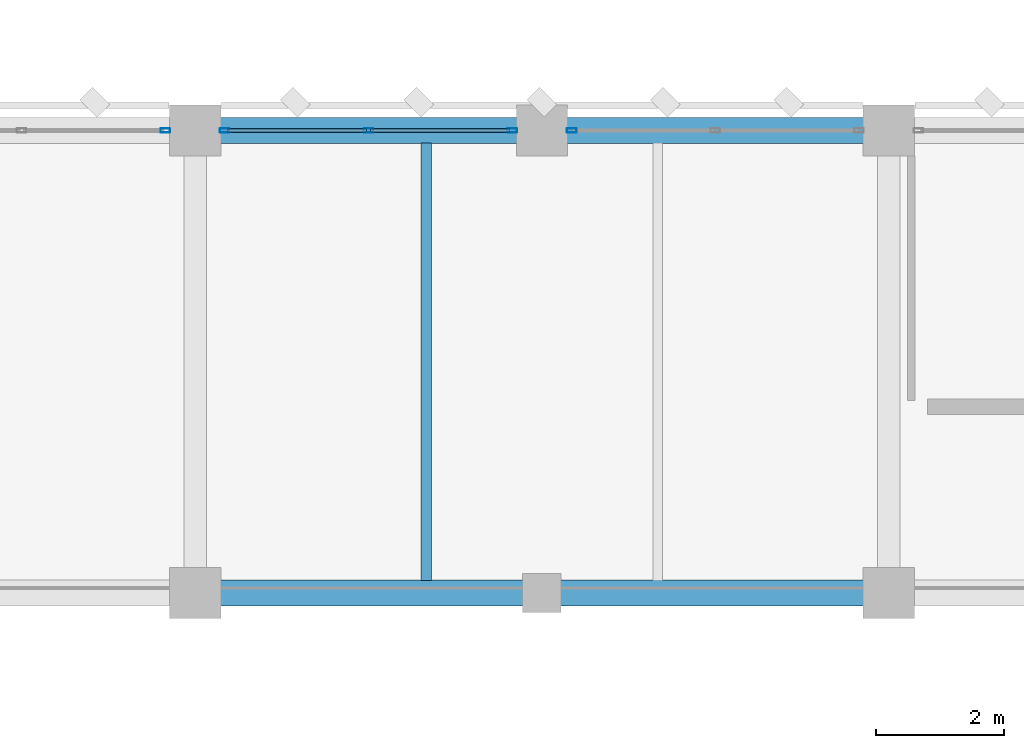
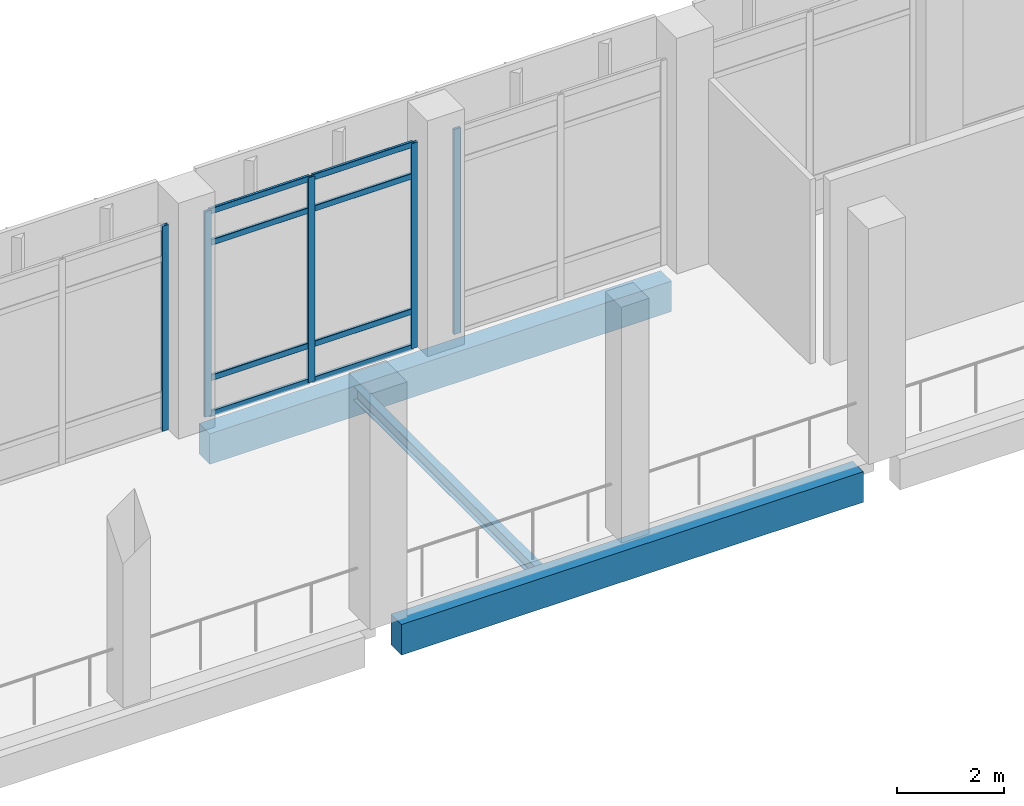
# One storey, part 31 of 180: 13 members, 3 beams, 3 elements without a shape of their own.
"""IFC4 building model written with IfcOpenShell, lengths in metres."""

import ifcopenshell
import ifcopenshell.guid

model = None  # the IFC model being written
_history = None  # IfcOwnerHistory: only IFC2X3 demands one
_inside = {}  # id of a spatial element -> (the spatial element, [elements in it])
_under = {}  # id of a project, library or spatial element -> (it, [spatial elements below it])
_declared = {}  # id of a project -> (the project, [libraries it declares])
_typed = {}  # id of a type object -> (the type object, [elements of that type])
_made_of = {}  # id of a material, layer set ... -> (it, [elements and type objects made of it])


def new_model(schema):
    """Start an empty IFC model of exactly this schema.

    Asked for "IFC4X3", IfcOpenShell would pick the latest addendum, in which some entities
    have other attributes; the version numbers below select the first issue.
    IFC2X3 requires an IfcOwnerHistory on every rooted entity: one is made here for all.
    """
    global model, _history
    if schema == "IFC4X3":
        model = ifcopenshell.file(schema_version=(4, 3, 0, 0))
    else:
        model = ifcopenshell.file(schema=schema)
    _inside.clear()
    _under.clear()
    _declared.clear()
    _typed.clear()
    _made_of.clear()
    _history = None
    if model.schema == "IFC2X3":
        org = make("IfcOrganization", Name="unknown")
        user = make(
            "IfcPersonAndOrganization",
            ThePerson=make("IfcPerson", FamilyName="unknown"),
            TheOrganization=org,
        )
        app = make(
            "IfcApplication",
            ApplicationDeveloper=org,
            Version="unknown",
            ApplicationFullName="unknown",
            ApplicationIdentifier="unknown",
        )
        _history = make(
            "IfcOwnerHistory",
            OwningUser=user,
            OwningApplication=app,
            ChangeAction="ADDED",
            CreationDate=0,
        )
    return model


def make(cls, **values):
    """One entity of the class cls with the attributes given. An attribute that is None is left unset."""
    return model.create_entity(
        cls, **{name: value for name, value in values.items() if value is not None}
    )


def rooted(cls, **values):
    """An entity with a GlobalId (a new one), such as an element, a storey or a relation."""
    return make(cls, GlobalId=ifcopenshell.guid.new(), OwnerHistory=_history, **values)


def si_unit(unit_type, name, prefix=None):
    """IfcSIUnit, for example si_unit("LENGTHUNIT", "METRE", prefix="MILLI")."""
    return make("IfcSIUnit", UnitType=unit_type, Prefix=prefix, Name=name)


def assignment(units):
    """IfcUnitAssignment: the units of a project."""
    return None if units is None else make("IfcUnitAssignment", Units=units)


def point(xyz):
    """IfcCartesianPoint."""
    return None if xyz is None else make("IfcCartesianPoint", Coordinates=xyz)


def direction(xyz):
    """IfcDirection."""
    return None if xyz is None else make("IfcDirection", DirectionRatios=xyz)


def frame(location, z_axis=None, x_axis=None):
    """IfcAxis2Placement3D, a coordinate frame: its origin and axes. An axis left out is left unset."""
    return make(
        "IfcAxis2Placement3D",
        Location=point(location),
        Axis=direction(z_axis),
        RefDirection=direction(x_axis),
    )


def frame_2d(location, x_axis=None):
    """IfcAxis2Placement2D, a coordinate frame in the plane: its origin and x axis."""
    return make(
        "IfcAxis2Placement2D", Location=point(location), RefDirection=direction(x_axis)
    )


def origin():
    """The frame at (0, 0, 0) with its axes left unset."""
    return frame((0.0, 0.0, 0.0))


def origin_2d():
    """The frame at (0, 0) in the plane with its x axis left unset."""
    return frame_2d((0.0, 0.0))


def place(relative_to, where):
    """IfcLocalPlacement: puts the frame where relative to a parent placement (None: the world)."""
    return make(
        "IfcLocalPlacement", PlacementRelTo=relative_to, RelativePlacement=where
    )


def context(
    kind, dimensions, precision=None, world=None, true_north=None, identifier=None
):
    """IfcGeometricRepresentationContext, for example the 3D "Model" context."""
    return make(
        "IfcGeometricRepresentationContext",
        ContextIdentifier=identifier,
        ContextType=kind,
        CoordinateSpaceDimension=dimensions,
        Precision=precision,
        WorldCoordinateSystem=world,
        TrueNorth=true_north,
    )


def subcontext(parent, identifier, kind, view, scale=None):
    """IfcGeometricRepresentationSubContext, for example "Body" below "Model"."""
    return make(
        "IfcGeometricRepresentationSubContext",
        ContextIdentifier=identifier,
        ContextType=kind,
        ParentContext=parent,
        TargetScale=scale,
        TargetView=view,
    )


def project(units=None, contexts=None):
    """IfcProject with its units and contexts."""
    return rooted(
        "IfcProject",
        Name="project",
        RepresentationContexts=contexts,
        UnitsInContext=assignment(units),
    )


def spatial(cls, under=None, at=None, **own):
    """A site, building, storey or space (cls), placed at a placement, below another one or the project."""
    s = rooted(cls, ObjectPlacement=at, **own)
    if under is not None:
        _under.setdefault(under.id(), (under, []))[1].append(s)
    return s


def profile(cls, at=None, kind="AREA", **sizes):
    """A parametric profile (cls). Its sizes go by their IFC names, for example OverallWidth=200.0."""
    return make(cls, ProfileType=kind, Position=at, **sizes)


def rectangle(**sizes):
    """IfcRectangleProfileDef."""
    return profile("IfcRectangleProfileDef", **sizes)


def hollow_rectangle(**sizes):
    """IfcRectangleHollowProfileDef."""
    return profile("IfcRectangleHollowProfileDef", **sizes)


def i_section(**sizes):
    """IfcIShapeProfileDef."""
    return profile("IfcIShapeProfileDef", **sizes)


def extrude(swept, where, along, depth):
    """IfcExtrudedAreaSolid: the profile swept, set in the frame where, extruded along a direction by depth."""
    return make(
        "IfcExtrudedAreaSolid",
        SweptArea=swept,
        Position=where,
        ExtrudedDirection=direction(along),
        Depth=depth,
    )


def shape(context_of_items, identifier, shape_type, items):
    """IfcShapeRepresentation: the items that make up one representation, for example the "Body"."""
    return make(
        "IfcShapeRepresentation",
        ContextOfItems=context_of_items,
        RepresentationIdentifier=identifier,
        RepresentationType=shape_type,
        Items=items,
    )


def material(Name=None, Category=None):
    """IfcMaterial."""
    return make("IfcMaterial", Name=Name, Category=Category)


def material_profile(
    of_material, cross_section, Name=None, Category=None, Priority=None
):
    """IfcMaterialProfile: a cross section and its material."""
    return make(
        "IfcMaterialProfile",
        Name=Name,
        Material=of_material,
        Profile=cross_section,
        Priority=Priority,
        Category=Category,
    )


def profile_set(profiles, Name=None, composite=None):
    """IfcMaterialProfileSet."""
    return make(
        "IfcMaterialProfileSet",
        Name=Name,
        MaterialProfiles=profiles,
        CompositeProfile=composite,
    )


def made_of(thing, what):
    """Note that an element or type object is made of a material, layer set ...; save() writes the relation."""
    if what is not None:
        _made_of.setdefault(what.id(), (what, []))[1].append(thing)
    return thing


def type_object(cls, material=None, **own):
    """A type object (cls), such as IfcWallType, which elements share."""
    return made_of(rooted(cls, **own), material)


def element(
    cls,
    number,
    at=None,
    inside=None,
    cuts=None,
    type_object=None,
    material=None,
    context=None,
    identifier="Body",
    shape_type=None,
    held_by="IfcProductDefinitionShape",
    body=None,
    shapes=None,
    **own,
):
    """One element of the class cls, such as IfcWall. Its Tag is "e" and its number.

    at: its placement. inside: the storey or other place that contains it. cuts: it is an
    opening in that element (IfcRelVoidsElement). A single representation is given by context,
    identifier, shape_type and body (its items); several are given by shapes. held_by: the class
    of the entity that holds the representations. save() writes the other relations.
    """
    e = rooted(cls, Tag="e%d" % number, ObjectPlacement=at, **own)
    if body is not None:
        shapes = [shape(context, identifier, shape_type, body)]
    if shapes is not None:
        e.Representation = make(held_by, Representations=shapes)
    if inside is not None:
        _inside.setdefault(inside.id(), (inside, []))[1].append(e)
    if cuts is not None:
        rooted(
            "IfcRelVoidsElement", RelatingBuildingElement=cuts, RelatedOpeningElement=e
        )
    if type_object is not None:
        _typed.setdefault(type_object.id(), (type_object, []))[1].append(e)
    return made_of(e, material)


def aggregate(whole, parts):
    """IfcRelAggregates: a whole, such as a stair, and the parts it consists of."""
    return rooted("IfcRelAggregates", RelatingObject=whole, RelatedObjects=parts)


def save(model, path):
    """Write the relations noted so far, then the file.

    IfcRelAggregates (storeys below a building ...), IfcRelContainedInSpatialStructure (elements
    in a storey), IfcRelDefinesByType, IfcRelAssociatesMaterial and IfcRelDeclares: one each for
    every whole, place, type object, material and project.
    """
    for whole, parts in _under.values():
        aggregate(whole, parts)
    for where, things in _inside.values():
        rooted(
            "IfcRelContainedInSpatialStructure",
            RelatedElements=things,
            RelatingStructure=where,
        )
    for kind, things in _typed.values():
        rooted("IfcRelDefinesByType", RelatedObjects=things, RelatingType=kind)
    for what, things in _made_of.values():
        rooted("IfcRelAssociatesMaterial", RelatedObjects=things, RelatingMaterial=what)
    for by, libraries in _declared.values():
        rooted("IfcRelDeclares", RelatingContext=by, RelatedDefinitions=libraries)
    model.write(path)


model = new_model("IFC4")

# Units and contexts
model_context = context("Model", 3, precision=1e-05, world=origin(), true_north=direction((0.0, 1.0)))
body_context = subcontext(model_context, "Body", "Model", "MODEL_VIEW")
ifc_project = project(units=[si_unit("LENGTHUNIT", "METRE"), si_unit("AREAUNIT", "SQUARE_METRE"), si_unit("VOLUMEUNIT", "CUBIC_METRE"), si_unit("PLANEANGLEUNIT", "RADIAN"), si_unit("MASSUNIT", "GRAM", prefix="KILO")], contexts=[model_context])

# Site, building, storey
site_placement = place(None, origin())
site = spatial("IfcSite", under=ifc_project, at=site_placement, CompositionType="ELEMENT")
building_placement = place(site_placement, origin())
building = spatial("IfcBuilding", under=site, at=building_placement, Name="Lusvemor Sports Hall", CompositionType="ELEMENT")
storey_placement = place(building_placement, frame((0.0, 0.0, 5.39990234375)))
storey = spatial("IfcBuildingStorey", under=building, at=storey_placement, Name="L01", CompositionType="ELEMENT", Elevation=5.39990234375)

# Curtain wall, member
ifc_material_1 = material(Name="Thermally broken bronze-anodized aluminium", Category="aluminium")
curtain_wall_type = type_object("IfcCurtainWallType", Name="CW_COURT_C", PredefinedType="NOTDEFINED", material=ifc_material_1)
curtain_wall_1_placement = place(storey_placement, origin())
curtain_wall_1 = element("IfcCurtainWall", 1, at=curtain_wall_1_placement, inside=storey, type_object=curtain_wall_type, Name="Curtain Wall CW-V1N-L01-4-B", PredefinedType="NOTDEFINED")
ifc_material_2 = material(Name="Thermally broken bronze-anodized aluminium", Category="aluminium")
ifc_material_profile_1 = material_profile(ifc_material_2, hollow_rectangle(XDim=0.06494140625, YDim=0.14990234375, WallThickness=0.00390625, InnerFilletRadius=0.00390625, OuterFilletRadius=0.008056640625, at=origin_2d()), Name="CWMUL150x65x4")
ifc_profile_set_1 = profile_set([ifc_material_profile_1], Name="Thermally broken bronze-anodized aluminium")
member_type_1 = type_object("IfcMemberType", Name="CW_MUL_B", PredefinedType="MULLION", material=ifc_profile_set_1)
member_1_placement = place(storey_placement, frame((53.53759765625, 46.800048828125, 0.0), z_axis=(0.0, 0.0, 1.0), x_axis=(0.0, 1.0, 0.0)))
member_1 = element("IfcMember", 2, at=member_1_placement, type_object=member_type_1, Name="CW03 mullion 3", PredefinedType="MULLION", context=body_context, shape_type="SweptSolid", body=[
    extrude(hollow_rectangle(XDim=0.06494140625, YDim=0.14990234375, WallThickness=0.00390625, InnerFilletRadius=0.00390625, OuterFilletRadius=0.008056640625, at=origin_2d()), origin(), (0.0, 0.0, 1.0), 4.7001953125),
])
aggregate(curtain_wall_1, [member_1])

# Curtain wall, members
curtain_wall_2_placement = place(storey_placement, origin())
curtain_wall_2 = element("IfcCurtainWall", 3, at=curtain_wall_2_placement, inside=storey, type_object=curtain_wall_type, Name="Curtain Wall CW-V1N-L01-5-A", PredefinedType="NOTDEFINED")
member_2_placement = place(storey_placement, frame((54.46240234375, 46.800048828125, 0.0), z_axis=(0.0, 0.0, 1.0), x_axis=(0.0, 1.0, 0.0)))
member_2 = element("IfcMember", 4, at=member_2_placement, type_object=member_type_1, Name="CW03 mullion 1", PredefinedType="MULLION", context=body_context, shape_type="SweptSolid", body=[
    extrude(hollow_rectangle(XDim=0.06494140625, YDim=0.14990234375, WallThickness=0.00390625, InnerFilletRadius=0.00390625, OuterFilletRadius=0.008056640625, at=origin_2d()), origin(), (0.0, 0.0, 1.0), 4.7001953125),
])
member_3_placement = place(storey_placement, frame((56.699951171875, 46.800048828125, 0.0), z_axis=(0.0, 0.0, 1.0), x_axis=(0.0, 1.0, 0.0)))
member_3 = element("IfcMember", 5, at=member_3_placement, type_object=member_type_1, Name="CW03 mullion 2", PredefinedType="MULLION", context=body_context, shape_type="SweptSolid", body=[
    extrude(hollow_rectangle(XDim=0.06494140625, YDim=0.14990234375, WallThickness=0.00390625, InnerFilletRadius=0.00390625, OuterFilletRadius=0.008056640625, at=origin_2d()), origin(), (0.0, 0.0, 1.0), 4.7001953125),
])
member_4_placement = place(storey_placement, frame((58.9375, 46.800048828125, 0.0), z_axis=(0.0, 0.0, 1.0), x_axis=(0.0, 1.0, 0.0)))
member_4 = element("IfcMember", 6, at=member_4_placement, type_object=member_type_1, Name="CW03 mullion 3", PredefinedType="MULLION", context=body_context, shape_type="SweptSolid", body=[
    extrude(hollow_rectangle(XDim=0.06494140625, YDim=0.14990234375, WallThickness=0.00390625, InnerFilletRadius=0.00390625, OuterFilletRadius=0.008056640625, at=origin_2d()), origin(), (0.0, 0.0, 1.0), 4.7001953125),
])

# Curtain wall, member
curtain_wall_3_placement = place(storey_placement, origin())
curtain_wall_3 = element("IfcCurtainWall", 7, at=curtain_wall_3_placement, inside=storey, type_object=curtain_wall_type, Name="Curtain Wall CW-V1N-L01-5-B", PredefinedType="NOTDEFINED")
member_5_placement = place(storey_placement, frame((59.862548828125, 46.800048828125, 0.0), z_axis=(0.0, 0.0, 1.0), x_axis=(0.0, 1.0, 0.0)))
member_5 = element("IfcMember", 8, at=member_5_placement, type_object=member_type_1, Name="CW03 mullion 1", PredefinedType="MULLION", context=body_context, shape_type="SweptSolid", body=[
    extrude(hollow_rectangle(XDim=0.06494140625, YDim=0.14990234375, WallThickness=0.00390625, InnerFilletRadius=0.00390625, OuterFilletRadius=0.008056640625, at=origin_2d()), origin(), (0.0, 0.0, 1.0), 4.7001953125),
])
aggregate(curtain_wall_3, [member_5])

# Member
ifc_material_3 = material(Name="Thermally broken bronze-anodized aluminium", Category="aluminium")
ifc_material_profile_2 = material_profile(ifc_material_3, hollow_rectangle(XDim=0.06005859375, YDim=0.135009765625, WallThickness=0.00390625, InnerFilletRadius=0.00390625, OuterFilletRadius=0.008056640625, at=origin_2d()), Name="CWTRN135x60x4")
ifc_profile_set_2 = profile_set([ifc_material_profile_2], Name="Thermally broken bronze-anodized aluminium")
member_type_2 = type_object("IfcMemberType", Name="CW_TRN_B", PredefinedType="USERDEFINED", material=ifc_profile_set_2)
member_6_placement = place(storey_placement, frame((54.4951171875, 46.800048828125, 0.030029296875), z_axis=(1.0, 0.0, 0.0), x_axis=(0.0, 1.0, 0.0)))
member_6 = element("IfcMember", 9, at=member_6_placement, type_object=member_type_2, Name="CW03 transom 1.1", ObjectType="TRANSOM", PredefinedType="USERDEFINED", context=body_context, shape_type="SweptSolid", body=[
    extrude(hollow_rectangle(XDim=0.06005859375, YDim=0.135009765625, WallThickness=0.00390625, InnerFilletRadius=0.00390625, OuterFilletRadius=0.008056640625, at=origin_2d()), origin(), (0.0, 0.0, 1.0), 2.17236328125),
])

member_7_placement = place(storey_placement, frame((54.4951171875, 46.800048828125, 0.85009765625), z_axis=(1.0, 0.0, 0.0), x_axis=(0.0, 1.0, 0.0)))
member_7 = element("IfcMember", 10, at=member_7_placement, type_object=member_type_2, Name="CW03 transom 1.2", ObjectType="TRANSOM", PredefinedType="USERDEFINED", context=body_context, shape_type="SweptSolid", body=[
    extrude(hollow_rectangle(XDim=0.06005859375, YDim=0.135009765625, WallThickness=0.00390625, InnerFilletRadius=0.00390625, OuterFilletRadius=0.008056640625, at=origin_2d()), origin(), (0.0, 0.0, 1.0), 2.17236328125),
])

member_8_placement = place(storey_placement, frame((54.4951171875, 46.800048828125, 3.9501953125), z_axis=(1.0, 0.0, 0.0), x_axis=(0.0, 1.0, 0.0)))
member_8 = element("IfcMember", 11, at=member_8_placement, type_object=member_type_2, Name="CW03 transom 1.3", ObjectType="TRANSOM", PredefinedType="USERDEFINED", context=body_context, shape_type="SweptSolid", body=[
    extrude(hollow_rectangle(XDim=0.06005859375, YDim=0.135009765625, WallThickness=0.00390625, InnerFilletRadius=0.00390625, OuterFilletRadius=0.008056640625, at=origin_2d()), origin(), (0.0, 0.0, 1.0), 2.17236328125),
])

member_9_placement = place(storey_placement, frame((54.4951171875, 46.800048828125, 4.670166015625), z_axis=(1.0, 0.0, 0.0), x_axis=(0.0, 1.0, 0.0)))
member_9 = element("IfcMember", 12, at=member_9_placement, type_object=member_type_2, Name="CW03 transom 1.4", ObjectType="TRANSOM", PredefinedType="USERDEFINED", context=body_context, shape_type="SweptSolid", body=[
    extrude(hollow_rectangle(XDim=0.06005859375, YDim=0.135009765625, WallThickness=0.00390625, InnerFilletRadius=0.00390625, OuterFilletRadius=0.008056640625, at=origin_2d()), origin(), (0.0, 0.0, 1.0), 2.17236328125),
])

member_10_placement = place(storey_placement, frame((56.732421875, 46.800048828125, 0.030029296875), z_axis=(1.0, 0.0, 0.0), x_axis=(0.0, 1.0, 0.0)))
member_10 = element("IfcMember", 13, at=member_10_placement, type_object=member_type_2, Name="CW03 transom 2.1", ObjectType="TRANSOM", PredefinedType="USERDEFINED", context=body_context, shape_type="SweptSolid", body=[
    extrude(hollow_rectangle(XDim=0.06005859375, YDim=0.135009765625, WallThickness=0.00390625, InnerFilletRadius=0.00390625, OuterFilletRadius=0.008056640625, at=origin_2d()), origin(), (0.0, 0.0, 1.0), 2.172607421875),
])

member_11_placement = place(storey_placement, frame((56.732421875, 46.800048828125, 0.85009765625), z_axis=(1.0, 0.0, 0.0), x_axis=(0.0, 1.0, 0.0)))
member_11 = element("IfcMember", 14, at=member_11_placement, type_object=member_type_2, Name="CW03 transom 2.2", ObjectType="TRANSOM", PredefinedType="USERDEFINED", context=body_context, shape_type="SweptSolid", body=[
    extrude(hollow_rectangle(XDim=0.06005859375, YDim=0.135009765625, WallThickness=0.00390625, InnerFilletRadius=0.00390625, OuterFilletRadius=0.008056640625, at=origin_2d()), origin(), (0.0, 0.0, 1.0), 2.172607421875),
])

member_12_placement = place(storey_placement, frame((56.732421875, 46.800048828125, 3.9501953125), z_axis=(1.0, 0.0, 0.0), x_axis=(0.0, 1.0, 0.0)))
member_12 = element("IfcMember", 15, at=member_12_placement, type_object=member_type_2, Name="CW03 transom 2.3", ObjectType="TRANSOM", PredefinedType="USERDEFINED", context=body_context, shape_type="SweptSolid", body=[
    extrude(hollow_rectangle(XDim=0.06005859375, YDim=0.135009765625, WallThickness=0.00390625, InnerFilletRadius=0.00390625, OuterFilletRadius=0.008056640625, at=origin_2d()), origin(), (0.0, 0.0, 1.0), 2.172607421875),
])

member_13_placement = place(storey_placement, frame((56.732421875, 46.800048828125, 4.670166015625), z_axis=(1.0, 0.0, 0.0), x_axis=(0.0, 1.0, 0.0)))
member_13 = element("IfcMember", 16, at=member_13_placement, type_object=member_type_2, Name="CW03 transom 2.4", ObjectType="TRANSOM", PredefinedType="USERDEFINED", context=body_context, shape_type="SweptSolid", body=[
    extrude(hollow_rectangle(XDim=0.06005859375, YDim=0.135009765625, WallThickness=0.00390625, InnerFilletRadius=0.00390625, OuterFilletRadius=0.008056640625, at=origin_2d()), origin(), (0.0, 0.0, 1.0), 2.172607421875),
])

aggregate(curtain_wall_2, [member_2, member_3, member_4, member_6, member_7, member_8, member_9, member_10, member_11, member_12, member_13])

# Beams
ifc_material_4 = material(Name="Steel S355", Category="steel")
ifc_material_profile_3 = material_profile(ifc_material_4, i_section(OverallWidth=0.1669921875, OverallDepth=0.31689453125, WebThickness=0.007568359375, FlangeThickness=0.01318359375, FilletRadius=0.014892578125, at=origin_2d()), Name="W310x52.0")
ifc_profile_set_3 = profile_set([ifc_material_profile_3], Name="Steel S355")
beam_type_1 = type_object("IfcBeamType", Name="JOIST_ST_310M", PredefinedType="JOIST", material=ifc_profile_set_3)
beam_placement = place(storey_placement, frame((57.60009765625, 39.7958984375, -0.4423828125), z_axis=(0.0, 1.0, 0.0), x_axis=(-1.0, 0.0, 0.0)))
element("IfcBeam", 17, at=beam_placement, inside=storey, type_object=beam_type_1, Name="Secondary Joist L01 6-7/E-F #1", PredefinedType="JOIST", context=body_context, shape_type="SweptSolid", body=[
    extrude(i_section(OverallWidth=0.1669921875, OverallDepth=0.31689453125, WebThickness=0.007568359375, FlangeThickness=0.01318359375, FilletRadius=0.014892578125, at=origin_2d()), origin(), (0.0, 0.0, 1.0), 6.80810546875),
])
ifc_material_5 = material(Name="Concrete C40/50", Category="concrete")
ifc_material_profile_4 = material_profile(ifc_material_5, rectangle(XDim=0.39990234375, YDim=0.699951171875, at=origin_2d()), Name="RC400x700")
ifc_profile_set_4 = profile_set([ifc_material_profile_4], Name="Concrete C40/50")
beam_type_2 = type_object("IfcBeamType", Name="SPAND_EXT_700", PredefinedType="SPANDREL", material=ifc_profile_set_4)
for number, where, z_axis, x_axis, name in (
    (18, (54.39599609375, 39.60009765625, -0.6298828125), (1.0, 0.0, 0.0), (0.0, 1.0, 0.0), "Beam L01 E:6-7"),
    (19, (54.39599609375, 46.800048828125, -0.6298828125), (1.0, 0.0, 0.0), (0.0, 1.0, 0.0), "Beam L01 F:6-7"),
):
    element("IfcBeam", number, at=place(storey_placement, frame(where, z_axis=z_axis, x_axis=x_axis)), inside=storey, type_object=beam_type_2, Name=name, PredefinedType="SPANDREL", context=body_context, shape_type="SweptSolid", body=[
        extrude(rectangle(XDim=0.39990234375, YDim=0.699951171875, at=origin_2d()), origin(), (0.0, 0.0, 1.0), 10.008056640625),
    ])

save(model, "model.ifc")
